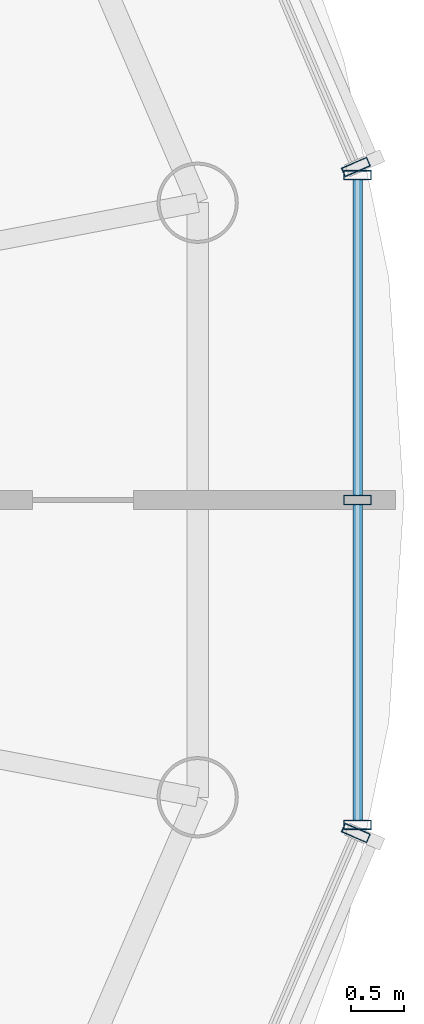
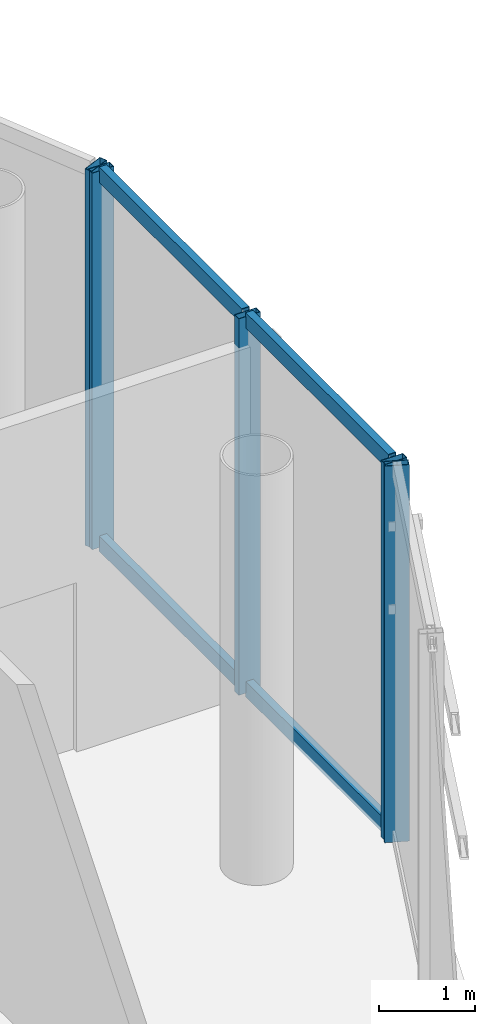
# One storey, part 9 of 14: 9 members, 3 elements without a shape of their own.
"""IFC4 building model written with IfcOpenShell, lengths in metres."""

import ifcopenshell
import ifcopenshell.guid

model = None  # the IFC model being written
_history = None  # IfcOwnerHistory: only IFC2X3 demands one
_inside = {}  # id of a spatial element -> (the spatial element, [elements in it])
_under = {}  # id of a project, library or spatial element -> (it, [spatial elements below it])
_declared = {}  # id of a project -> (the project, [libraries it declares])
_typed = {}  # id of a type object -> (the type object, [elements of that type])
_made_of = {}  # id of a material, layer set ... -> (it, [elements and type objects made of it])


def new_model(schema):
    """Start an empty IFC model of exactly this schema.

    Asked for "IFC4X3", IfcOpenShell would pick the latest addendum, in which some entities
    have other attributes; the version numbers below select the first issue.
    IFC2X3 requires an IfcOwnerHistory on every rooted entity: one is made here for all.
    """
    global model, _history
    if schema == "IFC4X3":
        model = ifcopenshell.file(schema_version=(4, 3, 0, 0))
    else:
        model = ifcopenshell.file(schema=schema)
    _inside.clear()
    _under.clear()
    _declared.clear()
    _typed.clear()
    _made_of.clear()
    _history = None
    if model.schema == "IFC2X3":
        org = make("IfcOrganization", Name="unknown")
        user = make(
            "IfcPersonAndOrganization",
            ThePerson=make("IfcPerson", FamilyName="unknown"),
            TheOrganization=org,
        )
        app = make(
            "IfcApplication",
            ApplicationDeveloper=org,
            Version="unknown",
            ApplicationFullName="unknown",
            ApplicationIdentifier="unknown",
        )
        _history = make(
            "IfcOwnerHistory",
            OwningUser=user,
            OwningApplication=app,
            ChangeAction="ADDED",
            CreationDate=0,
        )
    return model


def make(cls, **values):
    """One entity of the class cls with the attributes given. An attribute that is None is left unset."""
    return model.create_entity(
        cls, **{name: value for name, value in values.items() if value is not None}
    )


def rooted(cls, **values):
    """An entity with a GlobalId (a new one), such as an element, a storey or a relation."""
    return make(cls, GlobalId=ifcopenshell.guid.new(), OwnerHistory=_history, **values)


def si_unit(unit_type, name, prefix=None):
    """IfcSIUnit, for example si_unit("LENGTHUNIT", "METRE", prefix="MILLI")."""
    return make("IfcSIUnit", UnitType=unit_type, Prefix=prefix, Name=name)


def assignment(units):
    """IfcUnitAssignment: the units of a project."""
    return None if units is None else make("IfcUnitAssignment", Units=units)


def point(xyz):
    """IfcCartesianPoint."""
    return None if xyz is None else make("IfcCartesianPoint", Coordinates=xyz)


def direction(xyz):
    """IfcDirection."""
    return None if xyz is None else make("IfcDirection", DirectionRatios=xyz)


def frame(location, z_axis=None, x_axis=None):
    """IfcAxis2Placement3D, a coordinate frame: its origin and axes. An axis left out is left unset."""
    return make(
        "IfcAxis2Placement3D",
        Location=point(location),
        Axis=direction(z_axis),
        RefDirection=direction(x_axis),
    )


def frame_2d(location, x_axis=None):
    """IfcAxis2Placement2D, a coordinate frame in the plane: its origin and x axis."""
    return make(
        "IfcAxis2Placement2D", Location=point(location), RefDirection=direction(x_axis)
    )


def origin():
    """The frame at (0, 0, 0) with its axes left unset."""
    return frame((0.0, 0.0, 0.0))


def origin_2d():
    """The frame at (0, 0) in the plane with its x axis left unset."""
    return frame_2d((0.0, 0.0))


def place(relative_to, where):
    """IfcLocalPlacement: puts the frame where relative to a parent placement (None: the world)."""
    return make(
        "IfcLocalPlacement", PlacementRelTo=relative_to, RelativePlacement=where
    )


def context(
    kind, dimensions, precision=None, world=None, true_north=None, identifier=None
):
    """IfcGeometricRepresentationContext, for example the 3D "Model" context."""
    return make(
        "IfcGeometricRepresentationContext",
        ContextIdentifier=identifier,
        ContextType=kind,
        CoordinateSpaceDimension=dimensions,
        Precision=precision,
        WorldCoordinateSystem=world,
        TrueNorth=true_north,
    )


def subcontext(parent, identifier, kind, view, scale=None):
    """IfcGeometricRepresentationSubContext, for example "Body" below "Model"."""
    return make(
        "IfcGeometricRepresentationSubContext",
        ContextIdentifier=identifier,
        ContextType=kind,
        ParentContext=parent,
        TargetScale=scale,
        TargetView=view,
    )


def project(units=None, contexts=None):
    """IfcProject with its units and contexts."""
    return rooted(
        "IfcProject",
        Name="project",
        RepresentationContexts=contexts,
        UnitsInContext=assignment(units),
    )


def spatial(cls, under=None, at=None, **own):
    """A site, building, storey or space (cls), placed at a placement, below another one or the project."""
    s = rooted(cls, ObjectPlacement=at, **own)
    if under is not None:
        _under.setdefault(under.id(), (under, []))[1].append(s)
    return s


def profile(cls, at=None, kind="AREA", **sizes):
    """A parametric profile (cls). Its sizes go by their IFC names, for example OverallWidth=200.0."""
    return make(cls, ProfileType=kind, Position=at, **sizes)


def hollow_rectangle(**sizes):
    """IfcRectangleHollowProfileDef."""
    return profile("IfcRectangleHollowProfileDef", **sizes)


def extrude(swept, where, along, depth):
    """IfcExtrudedAreaSolid: the profile swept, set in the frame where, extruded along a direction by depth."""
    return make(
        "IfcExtrudedAreaSolid",
        SweptArea=swept,
        Position=where,
        ExtrudedDirection=direction(along),
        Depth=depth,
    )


def shape(context_of_items, identifier, shape_type, items):
    """IfcShapeRepresentation: the items that make up one representation, for example the "Body"."""
    return make(
        "IfcShapeRepresentation",
        ContextOfItems=context_of_items,
        RepresentationIdentifier=identifier,
        RepresentationType=shape_type,
        Items=items,
    )


def source(mapping_origin, context_of_items, identifier, shape_type, items):
    """IfcRepresentationMap: a shape defined once, which mapped items show again and again."""
    return make(
        "IfcRepresentationMap",
        MappingOrigin=mapping_origin,
        MappedRepresentation=shape(context_of_items, identifier, shape_type, items),
    )


def transform(
    local_origin,
    x_axis=None,
    y_axis=None,
    z_axis=None,
    scale=None,
    scale2=None,
    scale3=None,
    uniform=True,
):
    """IfcCartesianTransformationOperator3D, or its non-uniform kind. x_axis, y_axis, z_axis: its Axis1, 2, 3."""
    if uniform:
        return make(
            "IfcCartesianTransformationOperator3D",
            Axis1=direction(x_axis),
            Axis2=direction(y_axis),
            LocalOrigin=point(local_origin),
            Scale=scale,
            Axis3=direction(z_axis),
        )
    return make(
        "IfcCartesianTransformationOperator3DnonUniform",
        Axis1=direction(x_axis),
        Axis2=direction(y_axis),
        LocalOrigin=point(local_origin),
        Scale=scale,
        Axis3=direction(z_axis),
        Scale2=scale2,
        Scale3=scale3,
    )


def mapped(mapping_source, mapping_target):
    """IfcMappedItem: shows the shape of a source again, moved by a transform."""
    return make(
        "IfcMappedItem", MappingSource=mapping_source, MappingTarget=mapping_target
    )


def material(Name=None, Category=None):
    """IfcMaterial."""
    return make("IfcMaterial", Name=Name, Category=Category)


def material_profile(
    of_material, cross_section, Name=None, Category=None, Priority=None
):
    """IfcMaterialProfile: a cross section and its material."""
    return make(
        "IfcMaterialProfile",
        Name=Name,
        Material=of_material,
        Profile=cross_section,
        Priority=Priority,
        Category=Category,
    )


def profile_set(profiles, Name=None, composite=None):
    """IfcMaterialProfileSet."""
    return make(
        "IfcMaterialProfileSet",
        Name=Name,
        MaterialProfiles=profiles,
        CompositeProfile=composite,
    )


def made_of(thing, what):
    """Note that an element or type object is made of a material, layer set ...; save() writes the relation."""
    if what is not None:
        _made_of.setdefault(what.id(), (what, []))[1].append(thing)
    return thing


def type_object(cls, material=None, **own):
    """A type object (cls), such as IfcWallType, which elements share."""
    return made_of(rooted(cls, **own), material)


def element(
    cls,
    number,
    at=None,
    inside=None,
    cuts=None,
    type_object=None,
    material=None,
    context=None,
    identifier="Body",
    shape_type=None,
    held_by="IfcProductDefinitionShape",
    body=None,
    shapes=None,
    **own,
):
    """One element of the class cls, such as IfcWall. Its Tag is "e" and its number.

    at: its placement. inside: the storey or other place that contains it. cuts: it is an
    opening in that element (IfcRelVoidsElement). A single representation is given by context,
    identifier, shape_type and body (its items); several are given by shapes. held_by: the class
    of the entity that holds the representations. save() writes the other relations.
    """
    e = rooted(cls, Tag="e%d" % number, ObjectPlacement=at, **own)
    if body is not None:
        shapes = [shape(context, identifier, shape_type, body)]
    if shapes is not None:
        e.Representation = make(held_by, Representations=shapes)
    if inside is not None:
        _inside.setdefault(inside.id(), (inside, []))[1].append(e)
    if cuts is not None:
        rooted(
            "IfcRelVoidsElement", RelatingBuildingElement=cuts, RelatedOpeningElement=e
        )
    if type_object is not None:
        _typed.setdefault(type_object.id(), (type_object, []))[1].append(e)
    return made_of(e, material)


def aggregate(whole, parts):
    """IfcRelAggregates: a whole, such as a stair, and the parts it consists of."""
    return rooted("IfcRelAggregates", RelatingObject=whole, RelatedObjects=parts)


def save(model, path):
    """Write the relations noted so far, then the file.

    IfcRelAggregates (storeys below a building ...), IfcRelContainedInSpatialStructure (elements
    in a storey), IfcRelDefinesByType, IfcRelAssociatesMaterial and IfcRelDeclares: one each for
    every whole, place, type object, material and project.
    """
    for whole, parts in _under.values():
        aggregate(whole, parts)
    for where, things in _inside.values():
        rooted(
            "IfcRelContainedInSpatialStructure",
            RelatedElements=things,
            RelatingStructure=where,
        )
    for kind, things in _typed.values():
        rooted("IfcRelDefinesByType", RelatedObjects=things, RelatingType=kind)
    for what, things in _made_of.values():
        rooted("IfcRelAssociatesMaterial", RelatedObjects=things, RelatingMaterial=what)
    for by, libraries in _declared.values():
        rooted("IfcRelDeclares", RelatingContext=by, RelatedDefinitions=libraries)
    model.write(path)


model = new_model("IFC4")

# Units and contexts
model_context = context("Model", 3, precision=1e-05, world=origin(), true_north=direction((-0.2419218956, 0.970295726276)))
body_context = subcontext(model_context, "Body", "Model", "MODEL_VIEW")
ifc_project = project(units=[si_unit("LENGTHUNIT", "METRE"), si_unit("AREAUNIT", "SQUARE_METRE"), si_unit("VOLUMEUNIT", "CUBIC_METRE"), si_unit("PLANEANGLEUNIT", "RADIAN"), si_unit("MASSUNIT", "GRAM", prefix="KILO")], contexts=[model_context])

# Site, building, storey
site_placement = place(None, origin())
site = spatial("IfcSite", under=ifc_project, at=site_placement, CompositionType="ELEMENT")
building_placement = place(site_placement, origin())
building = spatial("IfcBuilding", under=site, at=building_placement, Name="Cobrevalo Terracotta Tower", CompositionType="ELEMENT")
storey_placement = place(building_placement, frame((0.0, 0.0, 326.89990234375)))
storey = spatial("IfcBuildingStorey", under=building, at=storey_placement, Name="L84", CompositionType="ELEMENT", Elevation=326.89990234375)

# Curtain wall, member
ifc_material = material(Name="Anodized aluminium", Category="aluminium")
curtain_wall_type = type_object("IfcCurtainWallType", Name="Faceted glass-point crown structural glazing system CW-CR", PredefinedType="NOTDEFINED", material=ifc_material)
curtain_wall_1_placement = place(storey_placement, origin())
curtain_wall_1 = element("IfcCurtainWall", 1, at=curtain_wall_1_placement, inside=storey, type_object=curtain_wall_type, Name="L84 curtain wall CW-CRN-L84-S01", PredefinedType="NOTDEFINED")
ifc_material_profile_1 = material_profile(ifc_material, hollow_rectangle(XDim=0.090087890625, YDim=0.260009765625, WallThickness=0.006103515625, at=origin_2d()), Name="CWM 90x260")
ifc_profile_set_1 = profile_set([ifc_material_profile_1], Name="Anodized aluminium")
member_type_1 = type_object("IfcMemberType", Name="Crown structural glass mullion 90x260", PredefinedType="MULLION", material=ifc_profile_set_1)
shared_shape_1 = source(origin(), body_context, "Body", "SweptSolid", [
    extrude(hollow_rectangle(XDim=0.090087890625, YDim=0.260009765625, WallThickness=0.006103515625, at=origin_2d()), origin(), (0.0, 0.0, 1.0), 4.780029296875),
])
member_1_placement = place(storey_placement, frame((54.098388671875, 29.925048828125, 0.0), z_axis=(0.0, 0.0, 1.0), x_axis=(-0.394968347643, 0.918694728602, 0.0)))
member_1 = element("IfcMember", 2, at=member_1_placement, type_object=member_type_1, Name="CW-CRN-L84-S01 vertical mullion 01", PredefinedType="MULLION", context=body_context, shape_type="MappedRepresentation", body=[
    mapped(shared_shape_1, transform((0.0, 0.0, 0.0), scale=1.0)),
])
aggregate(curtain_wall_1, [member_1])

curtain_wall_2_placement = place(storey_placement, origin())
curtain_wall_2 = element("IfcCurtainWall", 3, at=curtain_wall_2_placement, inside=storey, type_object=curtain_wall_type, Name="L84 curtain wall CW-CRN-L84-S15", PredefinedType="NOTDEFINED")
member_2_placement = place(storey_placement, frame((54.098388671875, 23.675048828125, 0.0), z_axis=(0.0, 0.0, 1.0), x_axis=(0.394968347643, 0.918694728602, 0.0)))
member_2 = element("IfcMember", 4, at=member_2_placement, type_object=member_type_1, Name="CW-CRN-L84-S15 vertical mullion 03", PredefinedType="MULLION", context=body_context, shape_type="MappedRepresentation", body=[
    mapped(shared_shape_1, transform((0.0, 0.0, 0.0), scale=1.0)),
])
aggregate(curtain_wall_2, [member_2])

# Curtain wall, members
curtain_wall_3_placement = place(storey_placement, origin())
curtain_wall_3 = element("IfcCurtainWall", 5, at=curtain_wall_3_placement, inside=storey, type_object=curtain_wall_type, Name="L84 curtain wall CW-CRN-L84-S16", PredefinedType="NOTDEFINED")
member_3_placement = place(storey_placement, frame((54.1142578125, 23.751708984375, 0.0), z_axis=(0.0, 0.0, 1.0), x_axis=(0.0, 1.0, 0.0)))
member_3 = element("IfcMember", 6, at=member_3_placement, type_object=member_type_1, Name="CW-CRN-L84-S16 vertical mullion 01", PredefinedType="MULLION", context=body_context, shape_type="MappedRepresentation", body=[
    mapped(shared_shape_1, transform((0.0, 0.0, 0.0), scale=1.0)),
])
member_4_placement = place(storey_placement, frame((54.1142578125, 26.800048828125, 0.0), z_axis=(0.0, 0.0, 1.0), x_axis=(0.0, 1.0, 0.0)))
member_4 = element("IfcMember", 7, at=member_4_placement, type_object=member_type_1, Name="CW-CRN-L84-S16 vertical mullion 02", PredefinedType="MULLION", context=body_context, shape_type="MappedRepresentation", body=[
    mapped(shared_shape_1, transform((0.0, 0.0, 0.0), scale=1.0)),
])
member_5_placement = place(storey_placement, frame((54.1142578125, 29.848388671875, 0.0), z_axis=(0.0, 0.0, 1.0), x_axis=(0.0, 1.0, 0.0)))
member_5 = element("IfcMember", 8, at=member_5_placement, type_object=member_type_1, Name="CW-CRN-L84-S16 vertical mullion 03", PredefinedType="MULLION", context=body_context, shape_type="MappedRepresentation", body=[
    mapped(shared_shape_1, transform((0.0, 0.0, 0.0), scale=1.0)),
])
ifc_material_profile_2 = material_profile(ifc_material, hollow_rectangle(XDim=0.090087890625, YDim=0.195068359375, WallThickness=0.005615234375, at=origin_2d()), Name="CWT 90x195")
ifc_profile_set_2 = profile_set([ifc_material_profile_2], Name="Anodized aluminium")
member_type_2 = type_object("IfcMemberType", Name="Crown structural aluminium transom 90x195", PredefinedType="USERDEFINED", material=ifc_profile_set_2)
shared_shape_2 = source(origin(), body_context, "Body", "SweptSolid", [
    extrude(hollow_rectangle(XDim=0.090087890625, YDim=0.195068359375, WallThickness=0.005615234375, at=origin_2d()), origin(), (0.0, 0.0, 1.0), 2.96826171875),
])
member_6_placement = place(storey_placement, frame((54.1142578125, 23.791748046875, 0.050048828125), z_axis=(0.0, 1.0, 0.0), x_axis=(-1.0, 0.0, 0.0)))
member_6 = element("IfcMember", 9, at=member_6_placement, type_object=member_type_2, Name="CW-CRN-L84-S16 transom B01-T1", ObjectType="TRANSOM", PredefinedType="USERDEFINED", context=body_context, shape_type="MappedRepresentation", body=[
    mapped(shared_shape_2, transform((0.0, 0.0, 0.0), scale=1.0)),
])
member_7_placement = place(storey_placement, frame((54.1142578125, 23.791748046875, 4.72998046875), z_axis=(0.0, 1.0, 0.0), x_axis=(-1.0, 0.0, 0.0)))
member_7 = element("IfcMember", 10, at=member_7_placement, type_object=member_type_2, Name="CW-CRN-L84-S16 transom B01-T2", ObjectType="TRANSOM", PredefinedType="USERDEFINED", context=body_context, shape_type="MappedRepresentation", body=[
    mapped(shared_shape_2, transform((0.0, 0.0, 0.0), scale=1.0)),
])
member_8_placement = place(storey_placement, frame((54.1142578125, 26.840087890625, 0.050048828125), z_axis=(0.0, 1.0, 0.0), x_axis=(-1.0, 0.0, 0.0)))
member_8 = element("IfcMember", 11, at=member_8_placement, type_object=member_type_2, Name="CW-CRN-L84-S16 transom B02-T1", ObjectType="TRANSOM", PredefinedType="USERDEFINED", context=body_context, shape_type="MappedRepresentation", body=[
    mapped(shared_shape_2, transform((0.0, 0.0, 0.0), scale=1.0)),
])
member_9_placement = place(storey_placement, frame((54.1142578125, 26.840087890625, 4.72998046875), z_axis=(0.0, 1.0, 0.0), x_axis=(-1.0, 0.0, 0.0)))
member_9 = element("IfcMember", 12, at=member_9_placement, type_object=member_type_2, Name="CW-CRN-L84-S16 transom B02-T2", ObjectType="TRANSOM", PredefinedType="USERDEFINED", context=body_context, shape_type="MappedRepresentation", body=[
    mapped(shared_shape_2, transform((0.0, 0.0, 0.0), scale=1.0)),
])
aggregate(curtain_wall_3, [member_3, member_4, member_5, member_6, member_7, member_8, member_9])

save(model, "model.ifc")
